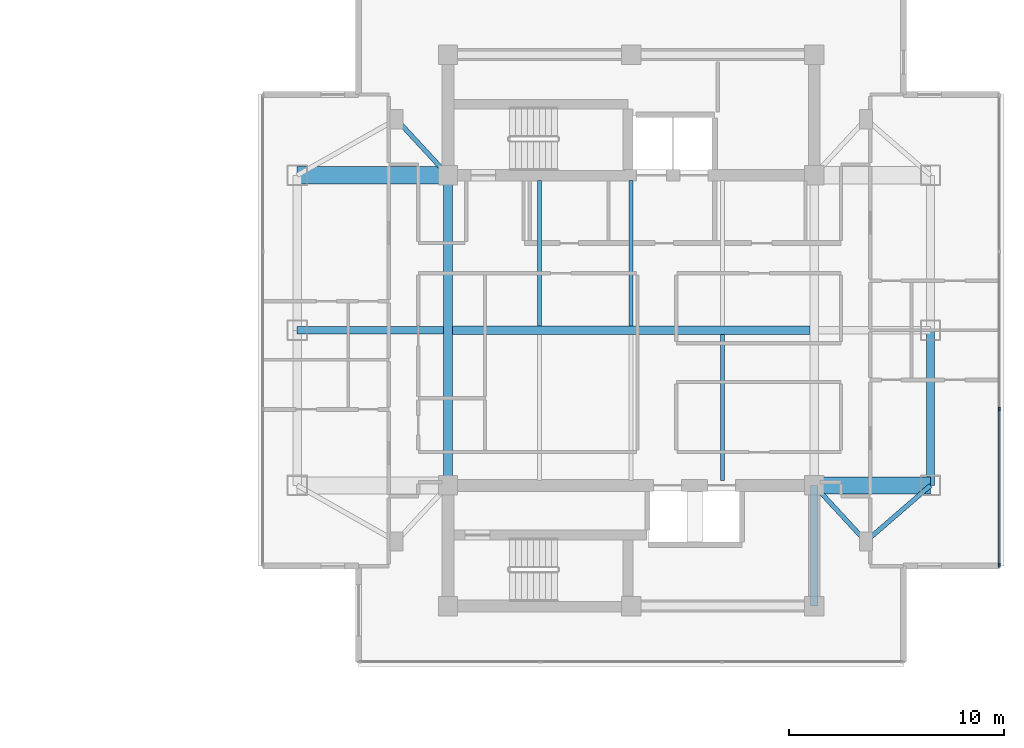
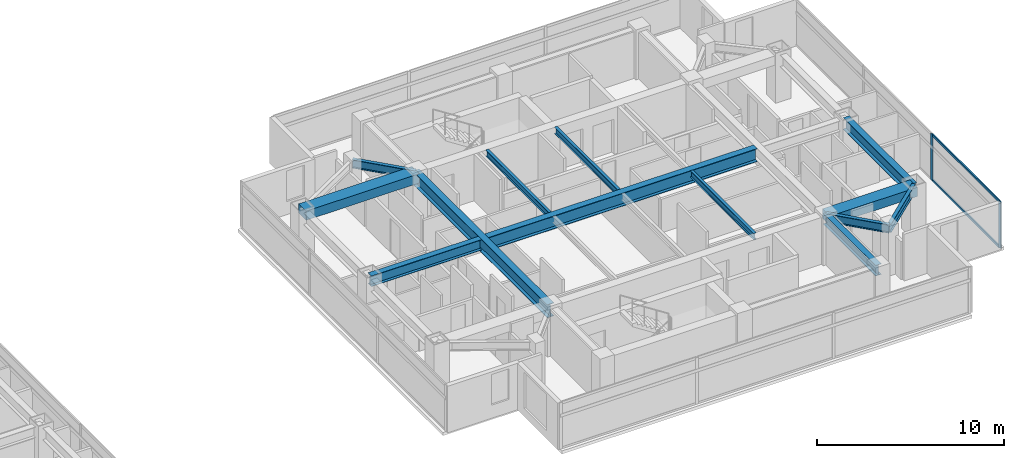
# One storey, part 9 of 24: 13 beams, 4 members, 1 element without a shape of its own.
"""IFC4 building model written with IfcOpenShell, lengths in metres."""

from ifc_helpers import new_model, si_unit, direction, frame, origin, origin_2d, place, context, subcontext, project, spatial, rectangle, i_section, extrude, material, material_profile, profile_set, type_object, element, aggregate, save


model = new_model("IFC4")

# Units and contexts
model_context = context("Model", 3, precision=1e-05, world=origin(), true_north=direction((0.0, 1.0)))
body_context = subcontext(model_context, "Body", "Model", "MODEL_VIEW")
ifc_project = project(units=[si_unit("LENGTHUNIT", "METRE"), si_unit("AREAUNIT", "SQUARE_METRE"), si_unit("VOLUMEUNIT", "CUBIC_METRE"), si_unit("PLANEANGLEUNIT", "RADIAN"), si_unit("MASSUNIT", "GRAM", prefix="KILO")], contexts=[model_context])

# Site, building, storey
site_placement = place(None, origin())
site = spatial("IfcSite", under=ifc_project, at=site_placement, CompositionType="ELEMENT")
building_placement = place(site_placement, origin())
building = spatial("IfcBuilding", under=site, at=building_placement, Name="Mirazonda Arch Towers", CompositionType="ELEMENT")
storey_placement = place(building_placement, frame((0.0, 0.0, 193.39990234375)))
storey = spatial("IfcBuildingStorey", under=building, at=storey_placement, Name="L55", CompositionType="ELEMENT", Elevation=193.39990234375)

# Beams
ifc_material_1 = material(Name="Steel ASTM A992 Grade 50", Category="steel")
ifc_material_profile_1 = material_profile(ifc_material_1, i_section(OverallWidth=0.381103515625, OverallDepth=0.77294921875, WebThickness=0.0166015625, FlangeThickness=0.027099609375, at=origin_2d()), Name="W30X173")
ifc_profile_set_1 = profile_set([ifc_material_profile_1], Name="Steel ASTM A992 Grade 50")
beam_type_1 = type_object("IfcBeamType", Name="BM-EXT-W30X173", PredefinedType="USERDEFINED", material=ifc_profile_set_1)
beam_1_placement = place(storey_placement, frame((90.39990234375, 20.800048828125, 2.66357421875), z_axis=(0.0, 1.0, 0.0), x_axis=(-1.0, 0.0, 0.0)))
element("IfcBeam", 1, at=beam_1_placement, inside=storey, type_object=beam_type_1, Name="L55 Floor Beam BM-T2-L55-NS-E-20", ObjectType="GIRDER", PredefinedType="USERDEFINED", context=body_context, shape_type="SweptSolid", body=[
    extrude(i_section(OverallWidth=0.381103515625, OverallDepth=0.77294921875, WebThickness=0.0166015625, FlangeThickness=0.027099609375, at=origin_2d()), origin(), (0.0, 0.0, 1.0), 7.199951171875),
])
ifc_material_profile_2 = material_profile(ifc_material_1, i_section(OverallWidth=0.180908203125, OverallDepth=0.4169921875, WebThickness=0.010986328125, FlangeThickness=0.018310546875, at=origin_2d()), Name="W16X57")
ifc_profile_set_2 = profile_set([ifc_material_profile_2], Name="Steel ASTM A992 Grade 50")
beam_type_2 = type_object("IfcBeamType", Name="BM-INT-W16X57", PredefinedType="JOIST", material=ifc_profile_set_2)
for number, where, z_axis, x_axis, name in (
    (2, (72.25, 28.196044921875, 2.841552734375), (0.0, 1.0, 0.0), (-1.0, 0.0, 0.0), "L55 Floor Beam BM-T2-L55-J-722-28"),
    (3, (76.5, 28.196044921875, 2.841552734375), (0.0, 1.0, 0.0), (-1.0, 0.0, 0.0), "L55 Floor Beam BM-T2-L55-J-765-28"),
    (4, (80.75, 21.0400390625, 2.841552734375), (0.0, 1.0, 0.0), (-1.0, 0.0, 0.0), "L55 Floor Beam BM-T2-L55-J-807-20"),
):
    element("IfcBeam", number, at=place(storey_placement, frame(where, z_axis=z_axis, x_axis=x_axis)), inside=storey, type_object=beam_type_2, Name=name, PredefinedType="JOIST", context=body_context, shape_type="SweptSolid", body=[
        extrude(i_section(OverallWidth=0.180908203125, OverallDepth=0.4169921875, WebThickness=0.010986328125, FlangeThickness=0.018310546875, at=origin_2d()), origin(), (0.0, 0.0, 1.0), 6.763916015625),
    ])
ifc_material_profile_3 = material_profile(ifc_material_1, i_section(OverallWidth=0.214111328125, OverallDepth=0.549072265625, WebThickness=0.0146484375, FlangeThickness=0.023681640625, at=origin_2d()), Name="W21X93")
ifc_profile_set_3 = profile_set([ifc_material_profile_3], Name="Steel ASTM A992 Grade 50")
beam_type_3 = type_object("IfcBeamType", Name="BM-INT-W21X93", PredefinedType="BEAM", material=ifc_profile_set_3)
beam_2_placement = place(storey_placement, frame((87.39990234375, 18.199951171875, 2.775634765625), z_axis=(-0.678251444854, 0.734829897019, 0.0), x_axis=(-0.734829897019, -0.678251444854, 0.0)))
element("IfcBeam", 5, at=beam_2_placement, inside=storey, type_object=beam_type_3, Name="L55 Floor Beam BM-T2-L55-PL-SE1", PredefinedType="BEAM", context=body_context, shape_type="SweptSolid", body=[
    extrude(i_section(OverallWidth=0.214111328125, OverallDepth=0.549072265625, WebThickness=0.0146484375, FlangeThickness=0.023681640625, at=origin_2d()), origin(), (0.0, 0.0, 1.0), 3.538330078125),
])
beam_3_placement = place(storey_placement, frame((87.39990234375, 18.199951171875, 2.775634765625), z_axis=(0.755676908098, 0.654944585876, 0.0), x_axis=(-0.654944585876, 0.755676908098, 0.0)))
element("IfcBeam", 6, at=beam_3_placement, inside=storey, type_object=beam_type_3, Name="L55 Floor Beam BM-T2-L55-PL-SE2", PredefinedType="BEAM", context=body_context, shape_type="SweptSolid", body=[
    extrude(i_section(OverallWidth=0.214111328125, OverallDepth=0.549072265625, WebThickness=0.0146484375, FlangeThickness=0.023681640625, at=origin_2d()), origin(), (0.0, 0.0, 1.0), 3.969970703125),
])
beam_4_placement = place(storey_placement, frame((65.60009765625, 37.800048828125, 2.775634765625), z_axis=(0.678251444854, -0.734829897019, 0.0), x_axis=(0.734829897019, 0.678251444854, 0.0)))
element("IfcBeam", 7, at=beam_4_placement, inside=storey, type_object=beam_type_3, Name="L55 Floor Beam BM-T2-L55-PL-NW1", PredefinedType="BEAM", context=body_context, shape_type="SweptSolid", body=[
    extrude(i_section(OverallWidth=0.214111328125, OverallDepth=0.549072265625, WebThickness=0.0146484375, FlangeThickness=0.023681640625, at=origin_2d()), origin(), (0.0, 0.0, 1.0), 3.538330078125),
])
ifc_material_profile_4 = material_profile(ifc_material_1, i_section(OverallWidth=0.35498046875, OverallDepth=0.696044921875, WebThickness=0.015380859375, FlangeThickness=0.02490234375, at=origin_2d()), Name="W27X146")
ifc_profile_set_4 = profile_set([ifc_material_profile_4], Name="Steel ASTM A992 Grade 50")
beam_type_4 = type_object("IfcBeamType", Name="BM-INT-W27X146", PredefinedType="BEAM", material=ifc_profile_set_4)
beam_5_placement = place(storey_placement, frame((85.0, 15.199951171875, 2.7021484375), z_axis=(0.0, 1.0, 0.0), x_axis=(-1.0, 0.0, 0.0)))
element("IfcBeam", 8, at=beam_5_placement, inside=storey, type_object=beam_type_4, Name="L55 Floor Beam BM-T2-L55-CSE", PredefinedType="BEAM", context=body_context, shape_type="SweptSolid", body=[
    extrude(i_section(OverallWidth=0.35498046875, OverallDepth=0.696044921875, WebThickness=0.015380859375, FlangeThickness=0.02490234375, at=origin_2d()), origin(), (0.0, 0.0, 1.0), 5.60009765625),
])
beam_6_placement = place(storey_placement, frame((61.0, 28.0, 2.7021484375), z_axis=(1.0, 0.0, 0.0), x_axis=(0.0, 1.0, 0.0)))
element("IfcBeam", 9, at=beam_6_placement, inside=storey, type_object=beam_type_4, Name="L55 Floor Beam BM-T2-L55-GW2", PredefinedType="BEAM", context=body_context, shape_type="SweptSolid", body=[
    extrude(i_section(OverallWidth=0.35498046875, OverallDepth=0.696044921875, WebThickness=0.015380859375, FlangeThickness=0.02490234375, at=origin_2d()), origin(), (0.0, 0.0, 1.0), 6.800048828125),
])
ifc_material_profile_5 = material_profile(ifc_material_1, i_section(OverallWidth=0.39990234375, OverallDepth=0.85595703125, WebThickness=0.018310546875, FlangeThickness=0.029296875, at=origin_2d()), Name="W33X201")
ifc_profile_set_5 = profile_set([ifc_material_profile_5], Name="Steel ASTM A992 Grade 50")
beam_type_5 = type_object("IfcBeamType", Name="BM-INT-W33X201", PredefinedType="USERDEFINED", material=ifc_profile_set_5)
beam_7_placement = place(storey_placement, frame((68.199951171875, 28.0, 2.6220703125), z_axis=(1.0, 0.0, 0.0), x_axis=(0.0, 1.0, 0.0)))
element("IfcBeam", 10, at=beam_7_placement, inside=storey, type_object=beam_type_5, Name="L55 Floor Beam BM-T2-L55-GC2", ObjectType="GIRDER", PredefinedType="USERDEFINED", context=body_context, shape_type="SweptSolid", body=[
    extrude(i_section(OverallWidth=0.39990234375, OverallDepth=0.85595703125, WebThickness=0.018310546875, FlangeThickness=0.029296875, at=origin_2d()), origin(), (0.0, 0.0, 1.0), 16.60009765625),
])
beam_8_placement = place(storey_placement, frame((68.0, 20.800048828125, 2.6220703125), z_axis=(0.0, 1.0, 0.0), x_axis=(-1.0, 0.0, 0.0)))
element("IfcBeam", 11, at=beam_8_placement, inside=storey, type_object=beam_type_5, Name="L55 Floor Beam BM-T2-L55-NS-CW-FULL", ObjectType="GIRDER", PredefinedType="USERDEFINED", context=body_context, shape_type="SweptSolid", body=[
    extrude(i_section(OverallWidth=0.39990234375, OverallDepth=0.85595703125, WebThickness=0.018310546875, FlangeThickness=0.029296875, at=origin_2d()), origin(), (0.0, 0.0, 1.0), 14.39990234375),
])
ifc_material_2 = material(Name="Concrete C60/75", Category="concrete")
ifc_material_profile_6 = material_profile(ifc_material_2, rectangle(XDim=0.800048828125, YDim=0.60009765625, at=origin_2d()), Name="RCCB800x600")
ifc_profile_set_6 = profile_set([ifc_material_profile_6], Name="Concrete C60/75")
beam_type_6 = type_object("IfcBeamType", Name="CB-INT-RCCB800x600", PredefinedType="SPANDREL", material=ifc_profile_set_6)
beam_9_placement = place(storey_placement, frame((61.0, 35.199951171875, 2.75), z_axis=(1.0, 0.0, 0.0), x_axis=(0.0, 1.0, 0.0)))
element("IfcBeam", 12, at=beam_9_placement, inside=storey, type_object=beam_type_6, Name="L55 Floor Beam CBC-T2-L55-NW", PredefinedType="SPANDREL", context=body_context, shape_type="SweptSolid", body=[
    extrude(rectangle(XDim=0.800048828125, YDim=0.60009765625, at=origin_2d()), origin(), (0.0, 0.0, 1.0), 7.0),
])
beam_10_placement = place(storey_placement, frame((85.0, 20.800048828125, 2.75), z_axis=(1.0, 0.0, 0.0), x_axis=(0.0, 1.0, 0.0)))
element("IfcBeam", 13, at=beam_10_placement, inside=storey, type_object=beam_type_6, Name="L55 Floor Beam CBC-T2-L55-SE", PredefinedType="SPANDREL", context=body_context, shape_type="SweptSolid", body=[
    extrude(rectangle(XDim=0.800048828125, YDim=0.60009765625, at=origin_2d()), origin(), (0.0, 0.0, 1.0), 5.39990234375),
])

# Curtain wall, members
ifc_material_3 = material(Name="Anodised Aluminium and Low-E Glass", Category="aluminium")
curtain_wall_type = type_object("IfcCurtainWallType", Name="CW-RES-UNIT", PredefinedType="NOTDEFINED", material=ifc_material_3)
curtain_wall_placement = place(storey_placement, origin())
curtain_wall = element("IfcCurtainWall", 14, at=curtain_wall_placement, inside=storey, type_object=curtain_wall_type, Name="L55 T2 E Facade CW-L55-T2-E", PredefinedType="NOTDEFINED")
ifc_material_4 = material(Name="Anodised Aluminium Alloy", Category="aluminium")
ifc_material_profile_7 = material_profile(ifc_material_4, rectangle(XDim=0.074951171875, YDim=0.175048828125, at=origin_2d()), Name="ALU-MULL-75x175")
ifc_profile_set_7 = profile_set([ifc_material_profile_7], Name="Anodised Aluminium Alloy")
member_type_1 = type_object("IfcMemberType", Name="MULL-CW-RES-UNIT", PredefinedType="MULLION", material=ifc_profile_set_7)
member_1_placement = place(storey_placement, frame((93.591552734375, 17.0888671875, 0.0), z_axis=(0.0, 0.0, 1.0), x_axis=(-1.0, 0.0, 0.0)))
member_1 = element("IfcMember", 15, at=member_1_placement, type_object=member_type_1, Name="CW-104 mullion 1", PredefinedType="MULLION", context=body_context, shape_type="SweptSolid", body=[
    extrude(rectangle(XDim=0.074951171875, YDim=0.175048828125, at=origin_2d()), origin(), (0.0, 0.0, 1.0), 3.030029296875),
])
member_2_placement = place(storey_placement, frame((93.591552734375, 24.350341796875, 0.0), z_axis=(0.0, 0.0, 1.0), x_axis=(-1.0, 0.0, 0.0)))
member_2 = element("IfcMember", 16, at=member_2_placement, type_object=member_type_1, Name="CW-104 mullion 2", PredefinedType="MULLION", context=body_context, shape_type="SweptSolid", body=[
    extrude(rectangle(XDim=0.074951171875, YDim=0.175048828125, at=origin_2d()), origin(), (0.0, 0.0, 1.0), 3.030029296875),
])
ifc_material_profile_8 = material_profile(ifc_material_4, rectangle(XDim=0.074951171875, YDim=0.155029296875, at=origin_2d()), Name="ALU-TRAN-75x155")
ifc_profile_set_8 = profile_set([ifc_material_profile_8], Name="Anodised Aluminium Alloy")
member_type_2 = type_object("IfcMemberType", Name="TRAN-CW-RES-UNIT", PredefinedType="USERDEFINED", material=ifc_profile_set_8)
member_3_placement = place(storey_placement, frame((93.591552734375, 17.126220703125, 0.03759765625), z_axis=(0.0, 1.0, 0.0), x_axis=(-1.0, 0.0, 0.0)))
member_3 = element("IfcMember", 17, at=member_3_placement, type_object=member_type_2, Name="CW-104 transom 1.1", ObjectType="TRANSOM", PredefinedType="USERDEFINED", context=body_context, shape_type="SweptSolid", body=[
    extrude(rectangle(XDim=0.074951171875, YDim=0.155029296875, at=origin_2d()), origin(), (0.0, 0.0, 1.0), 7.186767578125),
])
member_4_placement = place(storey_placement, frame((93.591552734375, 17.126220703125, 2.99267578125), z_axis=(0.0, 1.0, 0.0), x_axis=(-1.0, 0.0, 0.0)))
member_4 = element("IfcMember", 18, at=member_4_placement, type_object=member_type_2, Name="CW-104 transom 1.2", ObjectType="TRANSOM", PredefinedType="USERDEFINED", context=body_context, shape_type="SweptSolid", body=[
    extrude(rectangle(XDim=0.074951171875, YDim=0.155029296875, at=origin_2d()), origin(), (0.0, 0.0, 1.0), 7.186767578125),
])
aggregate(curtain_wall, [member_1, member_2, member_3, member_4])

save(model, "model.ifc")
